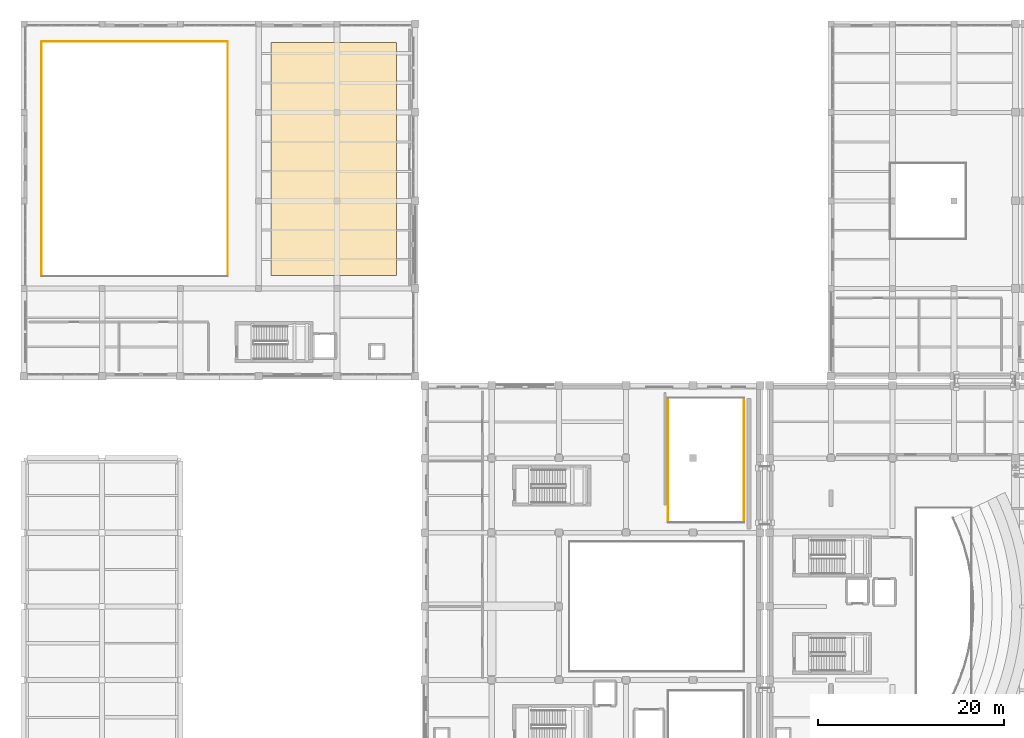
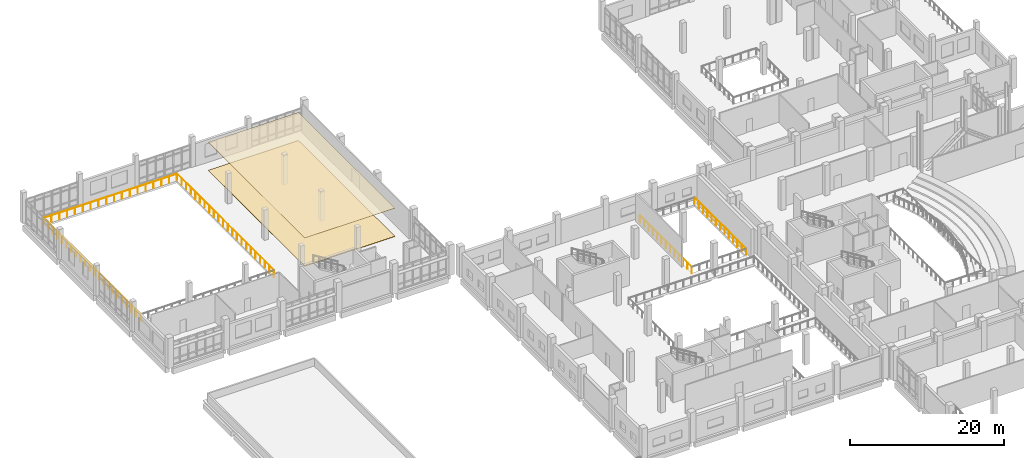
# One storey, part 71 of 73: 5 railings, 2 coverings.
"""IFC4 building model written with IfcOpenShell, lengths in metres."""

from ifc_helpers import new_model, si_unit, direction, frame, origin, origin_2d, place, context, subcontext, project, spatial, polyline, circle, outline, extrude, material, layer, layer_set, type_object, element, save


model = new_model("IFC4")

# Units and contexts
model_context = context("Model", 3, precision=1e-05, world=origin(), true_north=direction((0.0, 1.0)))
body_context = subcontext(model_context, "Body", "Model", "MODEL_VIEW")
ifc_project = project(units=[si_unit("LENGTHUNIT", "METRE"), si_unit("AREAUNIT", "SQUARE_METRE"), si_unit("VOLUMEUNIT", "CUBIC_METRE"), si_unit("PLANEANGLEUNIT", "RADIAN"), si_unit("MASSUNIT", "GRAM", prefix="KILO")], contexts=[model_context])

# Site, building, storey
site_placement = place(None, origin())
site = spatial("IfcSite", under=ifc_project, at=site_placement, CompositionType="ELEMENT")
building_placement = place(site_placement, origin())
building = spatial("IfcBuilding", under=site, at=building_placement, Name="Kelarvand Opera House", CompositionType="ELEMENT")
storey_placement = place(building_placement, frame((0.0, 0.0, 10.199951171875)))
storey = spatial("IfcBuildingStorey", under=building, at=storey_placement, Name="L02", CompositionType="ELEMENT", Elevation=10.199951171875)

# Railings
ifc_material_1 = material(Name="Powder-coated Steel S355", Category="steel")
railing_type = type_object("IfcRailingType", Name="Painted Steel Stair and Void Guardrail 1100", PredefinedType="GUARDRAIL", material=ifc_material_1)
railing_1_placement = place(storey_placement, frame((86.280029296875, 84.8798828125, 0.0)))
element("IfcRailing", 1, at=railing_1_placement, inside=storey, type_object=railing_type, Name="V2 L02 Guardrail 65", PredefinedType="GUARDRAIL", context=body_context, shape_type="SweptSolid", body=[
    extrude(circle(Radius=0.02392578125, at=origin_2d()), frame((0.0, 0.0, 1.076171875), z_axis=(0.0, -1.0, 0.0), x_axis=(1.0, 0.0, 0.0)), (0.0, 0.0, 1.0), 13.35986328125),
    extrude(circle(Radius=0.02099609375, at=origin_2d()), origin(), (0.0, 0.0, 1.0), 1.052001953125),
    extrude(circle(Radius=0.02099609375, at=origin_2d()), frame((0.0, -1.11328125, 0.0)), (0.0, 0.0, 1.0), 1.052001953125),
    extrude(circle(Radius=0.02099609375, at=origin_2d()), frame((0.0, -2.2265625, 0.0)), (0.0, 0.0, 1.0), 1.052001953125),
    extrude(circle(Radius=0.02099609375, at=origin_2d()), frame((0.0, -3.33984375, 0.0)), (0.0, 0.0, 1.0), 1.052001953125),
    extrude(circle(Radius=0.02099609375, at=origin_2d()), frame((0.0, -4.453369140625, 0.0)), (0.0, 0.0, 1.0), 1.052001953125),
    extrude(circle(Radius=0.02099609375, at=origin_2d()), frame((0.0, -5.566650390625, 0.0)), (0.0, 0.0, 1.0), 1.052001953125),
    extrude(circle(Radius=0.02099609375, at=origin_2d()), frame((0.0, -6.679931640625, 0.0)), (0.0, 0.0, 1.0), 1.052001953125),
    extrude(circle(Radius=0.02099609375, at=origin_2d()), frame((0.0, -7.793212890625, 0.0)), (0.0, 0.0, 1.0), 1.052001953125),
    extrude(circle(Radius=0.02099609375, at=origin_2d()), frame((0.0, -8.906494140625, 0.0)), (0.0, 0.0, 1.0), 1.052001953125),
    extrude(circle(Radius=0.02099609375, at=origin_2d()), frame((0.0, -10.02001953125, 0.0)), (0.0, 0.0, 1.0), 1.052001953125),
    extrude(circle(Radius=0.02099609375, at=origin_2d()), frame((0.0, -11.13330078125, 0.0)), (0.0, 0.0, 1.0), 1.052001953125),
    extrude(circle(Radius=0.02099609375, at=origin_2d()), frame((0.0, -12.24658203125, 0.0)), (0.0, 0.0, 1.0), 1.052001953125),
    extrude(circle(Radius=0.02099609375, at=origin_2d()), frame((0.0, -13.35986328125, 0.0)), (0.0, 0.0, 1.0), 1.052001953125),
])
railing_2_placement = place(storey_placement, frame((78.1201171875, 71.52001953125, 0.0)))
element("IfcRailing", 2, at=railing_2_placement, inside=storey, type_object=railing_type, Name="V2 L02 Guardrail 67", PredefinedType="GUARDRAIL", context=body_context, shape_type="SweptSolid", body=[
    extrude(circle(Radius=0.02392578125, at=origin_2d()), frame((0.0, 0.0, 1.076171875), z_axis=(0.0, 1.0, 0.0), x_axis=(-1.0, 0.0, 0.0)), (0.0, 0.0, 1.0), 13.35986328125),
    extrude(circle(Radius=0.02099609375, at=origin_2d()), origin(), (0.0, 0.0, 1.0), 1.052001953125),
    extrude(circle(Radius=0.02099609375, at=origin_2d()), frame((0.0, 1.11328125, 0.0)), (0.0, 0.0, 1.0), 1.052001953125),
    extrude(circle(Radius=0.02099609375, at=origin_2d()), frame((0.0, 2.2265625, 0.0)), (0.0, 0.0, 1.0), 1.052001953125),
    extrude(circle(Radius=0.02099609375, at=origin_2d()), frame((0.0, 3.33984375, 0.0)), (0.0, 0.0, 1.0), 1.052001953125),
    extrude(circle(Radius=0.02099609375, at=origin_2d()), frame((0.0, 4.453369140625, 0.0)), (0.0, 0.0, 1.0), 1.052001953125),
    extrude(circle(Radius=0.02099609375, at=origin_2d()), frame((0.0, 5.566650390625, 0.0)), (0.0, 0.0, 1.0), 1.052001953125),
    extrude(circle(Radius=0.02099609375, at=origin_2d()), frame((0.0, 6.679931640625, 0.0)), (0.0, 0.0, 1.0), 1.052001953125),
    extrude(circle(Radius=0.02099609375, at=origin_2d()), frame((0.0, 7.793212890625, 0.0)), (0.0, 0.0, 1.0), 1.052001953125),
    extrude(circle(Radius=0.02099609375, at=origin_2d()), frame((0.0, 8.906494140625, 0.0)), (0.0, 0.0, 1.0), 1.052001953125),
    extrude(circle(Radius=0.02099609375, at=origin_2d()), frame((0.0, 10.02001953125, 0.0)), (0.0, 0.0, 1.0), 1.052001953125),
    extrude(circle(Radius=0.02099609375, at=origin_2d()), frame((0.0, 11.13330078125, 0.0)), (0.0, 0.0, 1.0), 1.052001953125),
    extrude(circle(Radius=0.02099609375, at=origin_2d()), frame((0.0, 12.24658203125, 0.0)), (0.0, 0.0, 1.0), 1.052001953125),
    extrude(circle(Radius=0.02099609375, at=origin_2d()), frame((0.0, 13.35986328125, 0.0)), (0.0, 0.0, 1.0), 1.052001953125),
])
railing_3_placement = place(storey_placement, frame((10.919921875, 123.080078125, 0.0)))
element("IfcRailing", 3, at=railing_3_placement, inside=storey, type_object=railing_type, Name="V3 L02 Guardrail 69", PredefinedType="GUARDRAIL", context=body_context, shape_type="SweptSolid", body=[
    extrude(circle(Radius=0.02392578125, at=origin_2d()), frame((0.0, 0.0, 1.076171875), z_axis=(1.0, 0.0, 0.0), x_axis=(0.0, 1.0, 0.0)), (0.0, 0.0, 1.0), 19.9599609375),
    extrude(circle(Radius=0.02099609375, at=origin_2d()), origin(), (0.0, 0.0, 1.0), 1.052001953125),
    extrude(circle(Radius=0.02099609375, at=origin_2d()), frame((1.174072265625, 0.0, 0.0)), (0.0, 0.0, 1.0), 1.052001953125),
    extrude(circle(Radius=0.02099609375, at=origin_2d()), frame((2.34814453125, 0.0, 0.0)), (0.0, 0.0, 1.0), 1.052001953125),
    extrude(circle(Radius=0.02099609375, at=origin_2d()), frame((3.5224609375, 0.0, 0.0)), (0.0, 0.0, 1.0), 1.052001953125),
    extrude(circle(Radius=0.02099609375, at=origin_2d()), frame((4.696533203125, 0.0, 0.0)), (0.0, 0.0, 1.0), 1.052001953125),
    extrude(circle(Radius=0.02099609375, at=origin_2d()), frame((5.87060546875, 0.0, 0.0)), (0.0, 0.0, 1.0), 1.052001953125),
    extrude(circle(Radius=0.02099609375, at=origin_2d()), frame((7.044677734375, 0.0, 0.0)), (0.0, 0.0, 1.0), 1.052001953125),
    extrude(circle(Radius=0.02099609375, at=origin_2d()), frame((8.21875, 0.0, 0.0)), (0.0, 0.0, 1.0), 1.052001953125),
    extrude(circle(Radius=0.02099609375, at=origin_2d()), frame((9.392822265625, 0.0, 0.0)), (0.0, 0.0, 1.0), 1.052001953125),
    extrude(circle(Radius=0.02099609375, at=origin_2d()), frame((10.567138671875, 0.0, 0.0)), (0.0, 0.0, 1.0), 1.052001953125),
    extrude(circle(Radius=0.02099609375, at=origin_2d()), frame((11.7412109375, 0.0, 0.0)), (0.0, 0.0, 1.0), 1.052001953125),
    extrude(circle(Radius=0.02099609375, at=origin_2d()), frame((12.915283203125, 0.0, 0.0)), (0.0, 0.0, 1.0), 1.052001953125),
    extrude(circle(Radius=0.02099609375, at=origin_2d()), frame((14.08935546875, 0.0, 0.0)), (0.0, 0.0, 1.0), 1.052001953125),
    extrude(circle(Radius=0.02099609375, at=origin_2d()), frame((15.263427734375, 0.0, 0.0)), (0.0, 0.0, 1.0), 1.052001953125),
    extrude(circle(Radius=0.02099609375, at=origin_2d()), frame((16.4375, 0.0, 0.0)), (0.0, 0.0, 1.0), 1.052001953125),
    extrude(circle(Radius=0.02099609375, at=origin_2d()), frame((17.61181640625, 0.0, 0.0)), (0.0, 0.0, 1.0), 1.052001953125),
    extrude(circle(Radius=0.02099609375, at=origin_2d()), frame((18.785888671875, 0.0, 0.0)), (0.0, 0.0, 1.0), 1.052001953125),
    extrude(circle(Radius=0.02099609375, at=origin_2d()), frame((19.9599609375, 0.0, 0.0)), (0.0, 0.0, 1.0), 1.052001953125),
])
railing_4_placement = place(storey_placement, frame((30.8798828125, 123.080078125, 0.0)))
element("IfcRailing", 4, at=railing_4_placement, inside=storey, type_object=railing_type, Name="V3 L02 Guardrail 70", PredefinedType="GUARDRAIL", context=body_context, shape_type="SweptSolid", body=[
    extrude(circle(Radius=0.02392578125, at=origin_2d()), frame((0.0, 0.0, 1.076171875), z_axis=(0.0, -1.0, 0.0), x_axis=(1.0, 0.0, 0.0)), (0.0, 0.0, 1.0), 25.16015625),
    extrude(circle(Radius=0.02099609375, at=origin_2d()), origin(), (0.0, 0.0, 1.0), 1.052001953125),
    extrude(circle(Radius=0.02099609375, at=origin_2d()), frame((0.0, -1.197998046875, 0.0)), (0.0, 0.0, 1.0), 1.052001953125),
    extrude(circle(Radius=0.02099609375, at=origin_2d()), frame((0.0, -2.396240234375, 0.0)), (0.0, 0.0, 1.0), 1.052001953125),
    extrude(circle(Radius=0.02099609375, at=origin_2d()), frame((0.0, -3.59423828125, 0.0)), (0.0, 0.0, 1.0), 1.052001953125),
    extrude(circle(Radius=0.02099609375, at=origin_2d()), frame((0.0, -4.79248046875, 0.0)), (0.0, 0.0, 1.0), 1.052001953125),
    extrude(circle(Radius=0.02099609375, at=origin_2d()), frame((0.0, -5.990478515625, 0.0)), (0.0, 0.0, 1.0), 1.052001953125),
    extrude(circle(Radius=0.02099609375, at=origin_2d()), frame((0.0, -7.188720703125, 0.0)), (0.0, 0.0, 1.0), 1.052001953125),
    extrude(circle(Radius=0.02099609375, at=origin_2d()), frame((0.0, -8.38671875, 0.0)), (0.0, 0.0, 1.0), 1.052001953125),
    extrude(circle(Radius=0.02099609375, at=origin_2d()), frame((0.0, -9.584716796875, 0.0)), (0.0, 0.0, 1.0), 1.052001953125),
    extrude(circle(Radius=0.02099609375, at=origin_2d()), frame((0.0, -10.782958984375, 0.0)), (0.0, 0.0, 1.0), 1.052001953125),
    extrude(circle(Radius=0.02099609375, at=origin_2d()), frame((0.0, -11.98095703125, 0.0)), (0.0, 0.0, 1.0), 1.052001953125),
    extrude(circle(Radius=0.02099609375, at=origin_2d()), frame((0.0, -13.17919921875, 0.0)), (0.0, 0.0, 1.0), 1.052001953125),
    extrude(circle(Radius=0.02099609375, at=origin_2d()), frame((0.0, -14.377197265625, 0.0)), (0.0, 0.0, 1.0), 1.052001953125),
    extrude(circle(Radius=0.02099609375, at=origin_2d()), frame((0.0, -15.575439453125, 0.0)), (0.0, 0.0, 1.0), 1.052001953125),
    extrude(circle(Radius=0.02099609375, at=origin_2d()), frame((0.0, -16.7734375, 0.0)), (0.0, 0.0, 1.0), 1.052001953125),
    extrude(circle(Radius=0.02099609375, at=origin_2d()), frame((0.0, -17.971435546875, 0.0)), (0.0, 0.0, 1.0), 1.052001953125),
    extrude(circle(Radius=0.02099609375, at=origin_2d()), frame((0.0, -19.169677734375, 0.0)), (0.0, 0.0, 1.0), 1.052001953125),
    extrude(circle(Radius=0.02099609375, at=origin_2d()), frame((0.0, -20.36767578125, 0.0)), (0.0, 0.0, 1.0), 1.052001953125),
    extrude(circle(Radius=0.02099609375, at=origin_2d()), frame((0.0, -21.56591796875, 0.0)), (0.0, 0.0, 1.0), 1.052001953125),
    extrude(circle(Radius=0.02099609375, at=origin_2d()), frame((0.0, -22.763916015625, 0.0)), (0.0, 0.0, 1.0), 1.052001953125),
    extrude(circle(Radius=0.02099609375, at=origin_2d()), frame((0.0, -23.962158203125, 0.0)), (0.0, 0.0, 1.0), 1.052001953125),
    extrude(circle(Radius=0.02099609375, at=origin_2d()), frame((0.0, -25.16015625, 0.0)), (0.0, 0.0, 1.0), 1.052001953125),
])
railing_5_placement = place(storey_placement, frame((10.919921875, 97.919921875, 0.0)))
element("IfcRailing", 5, at=railing_5_placement, inside=storey, type_object=railing_type, Name="V3 L02 Guardrail 72", PredefinedType="GUARDRAIL", context=body_context, shape_type="SweptSolid", body=[
    extrude(circle(Radius=0.02392578125, at=origin_2d()), frame((0.0, 0.0, 1.076171875), z_axis=(0.0, 1.0, 0.0), x_axis=(-1.0, 0.0, 0.0)), (0.0, 0.0, 1.0), 25.16015625),
    extrude(circle(Radius=0.02099609375, at=origin_2d()), origin(), (0.0, 0.0, 1.0), 1.052001953125),
    extrude(circle(Radius=0.02099609375, at=origin_2d()), frame((0.0, 1.197998046875, 0.0)), (0.0, 0.0, 1.0), 1.052001953125),
    extrude(circle(Radius=0.02099609375, at=origin_2d()), frame((0.0, 2.396240234375, 0.0)), (0.0, 0.0, 1.0), 1.052001953125),
    extrude(circle(Radius=0.02099609375, at=origin_2d()), frame((0.0, 3.59423828125, 0.0)), (0.0, 0.0, 1.0), 1.052001953125),
    extrude(circle(Radius=0.02099609375, at=origin_2d()), frame((0.0, 4.79248046875, 0.0)), (0.0, 0.0, 1.0), 1.052001953125),
    extrude(circle(Radius=0.02099609375, at=origin_2d()), frame((0.0, 5.990478515625, 0.0)), (0.0, 0.0, 1.0), 1.052001953125),
    extrude(circle(Radius=0.02099609375, at=origin_2d()), frame((0.0, 7.188720703125, 0.0)), (0.0, 0.0, 1.0), 1.052001953125),
    extrude(circle(Radius=0.02099609375, at=origin_2d()), frame((0.0, 8.38671875, 0.0)), (0.0, 0.0, 1.0), 1.052001953125),
    extrude(circle(Radius=0.02099609375, at=origin_2d()), frame((0.0, 9.584716796875, 0.0)), (0.0, 0.0, 1.0), 1.052001953125),
    extrude(circle(Radius=0.02099609375, at=origin_2d()), frame((0.0, 10.782958984375, 0.0)), (0.0, 0.0, 1.0), 1.052001953125),
    extrude(circle(Radius=0.02099609375, at=origin_2d()), frame((0.0, 11.98095703125, 0.0)), (0.0, 0.0, 1.0), 1.052001953125),
    extrude(circle(Radius=0.02099609375, at=origin_2d()), frame((0.0, 13.17919921875, 0.0)), (0.0, 0.0, 1.0), 1.052001953125),
    extrude(circle(Radius=0.02099609375, at=origin_2d()), frame((0.0, 14.377197265625, 0.0)), (0.0, 0.0, 1.0), 1.052001953125),
    extrude(circle(Radius=0.02099609375, at=origin_2d()), frame((0.0, 15.575439453125, 0.0)), (0.0, 0.0, 1.0), 1.052001953125),
    extrude(circle(Radius=0.02099609375, at=origin_2d()), frame((0.0, 16.7734375, 0.0)), (0.0, 0.0, 1.0), 1.052001953125),
    extrude(circle(Radius=0.02099609375, at=origin_2d()), frame((0.0, 17.971435546875, 0.0)), (0.0, 0.0, 1.0), 1.052001953125),
    extrude(circle(Radius=0.02099609375, at=origin_2d()), frame((0.0, 19.169677734375, 0.0)), (0.0, 0.0, 1.0), 1.052001953125),
    extrude(circle(Radius=0.02099609375, at=origin_2d()), frame((0.0, 20.36767578125, 0.0)), (0.0, 0.0, 1.0), 1.052001953125),
    extrude(circle(Radius=0.02099609375, at=origin_2d()), frame((0.0, 21.56591796875, 0.0)), (0.0, 0.0, 1.0), 1.052001953125),
    extrude(circle(Radius=0.02099609375, at=origin_2d()), frame((0.0, 22.763916015625, 0.0)), (0.0, 0.0, 1.0), 1.052001953125),
    extrude(circle(Radius=0.02099609375, at=origin_2d()), frame((0.0, 23.962158203125, 0.0)), (0.0, 0.0, 1.0), 1.052001953125),
    extrude(circle(Radius=0.02099609375, at=origin_2d()), frame((0.0, 25.16015625, 0.0)), (0.0, 0.0, 1.0), 1.052001953125),
])

# Coverings
ifc_material_2 = material(Name="Perforated walnut acoustic slats on steel sub-frame", Category="steel")
ifc_layer_1 = layer(ifc_material_2, 0.06005859375, Name="Perforated walnut acoustic slats on steel sub-frame", Category="steel")
ifc_layer_set_1 = layer_set([ifc_layer_1], Name="Perforated walnut acoustic slats on steel sub-frame")
covering_type_1 = type_object("IfcCoveringType", Name="Sculpted Timber Acoustic Soffit and Hall Ceiling 60mm", PredefinedType="CEILING", material=ifc_layer_set_1)
covering_1_placement = place(storey_placement, frame((0.0, 0.0, 4.43994140625)))
element("IfcCovering", 6, at=covering_1_placement, inside=storey, type_object=covering_type_1, Name="V3 L02 Acoustic Walnut Ceiling 5", PredefinedType="CEILING", context=body_context, shape_type="SweptSolid", body=[
    extrude(outline(polyline([(35.5, 98.0), (49.0, 98.0), (49.0, 123.0), (35.5, 123.0), (35.5, 98.0)])), origin(), (0.0, 0.0, 1.0), 0.06005859375),
])
ifc_material_3 = material(Name="Sprung rift-sawn timber stage flooring", Category="wood")
ifc_layer_2 = layer(ifc_material_3, 0.050048828125, Name="Sprung rift-sawn timber stage flooring", Category="wood")
ifc_layer_set_2 = layer_set([ifc_layer_2], Name="Sprung rift-sawn timber stage flooring")
covering_type_2 = type_object("IfcCoveringType", Name="Sprung Oregon Pine Stage and Rehearsal Flooring 50mm", PredefinedType="FLOORING", material=ifc_layer_set_2)
covering_2_placement = place(storey_placement, origin())
element("IfcCovering", 7, at=covering_2_placement, inside=storey, type_object=covering_type_2, Name="V3 L02 Architectural Flooring 6", PredefinedType="FLOORING", context=body_context, shape_type="SweptSolid", body=[
    extrude(outline(polyline([(35.5, 98.0), (49.0, 98.0), (49.0, 123.0), (35.5, 123.0), (35.5, 98.0)])), origin(), (0.0, 0.0, 1.0), 0.050048828125),
])

save(model, "model.ifc")
